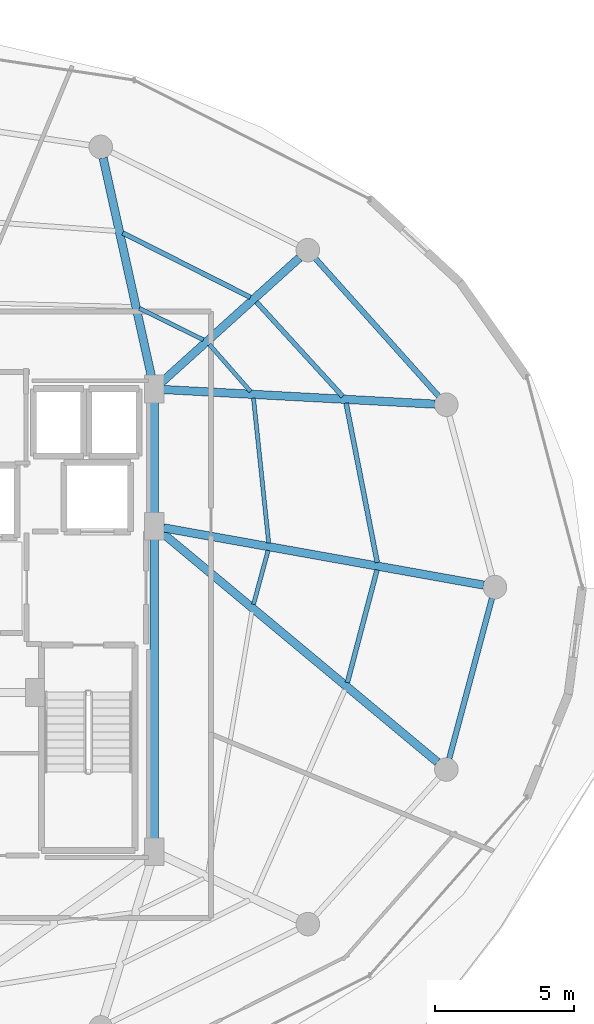
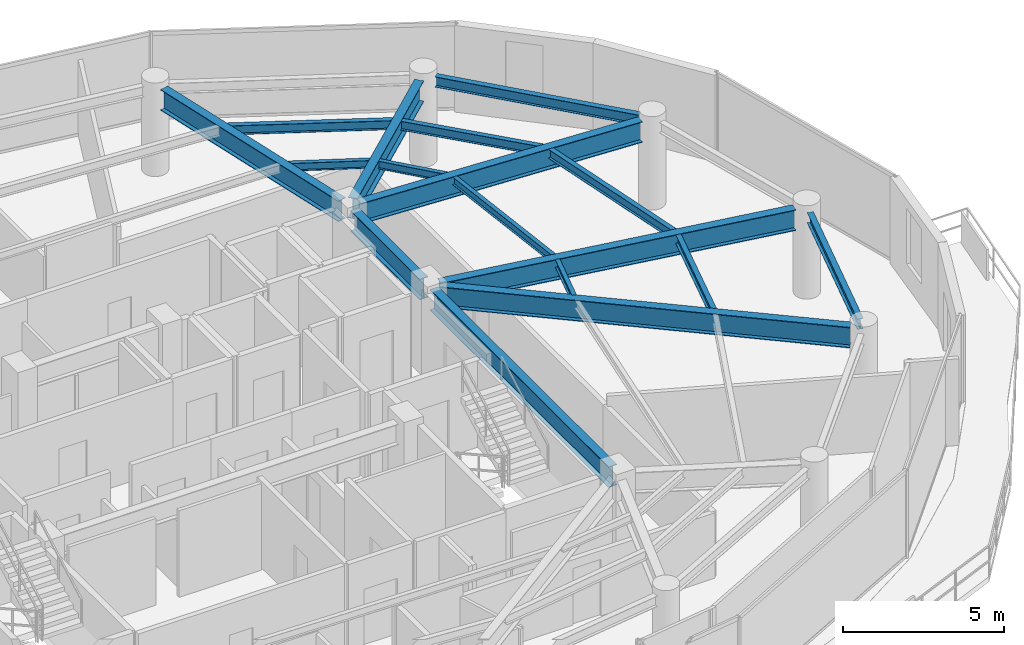
# One storey, part 14 of 30: 17 beams.
"""IFC4 building model written with IfcOpenShell, lengths in metres."""

from ifc_helpers import new_model, si_unit, direction, frame, origin, origin_2d, place, context, subcontext, project, spatial, i_section, extrude, material, material_profile, profile_set, type_object, element, save


model = new_model("IFC4")

# Units and contexts
model_context = context("Model", 3, precision=1e-05, world=origin(), true_north=direction((0.0, 1.0)))
body_context = subcontext(model_context, "Body", "Model", "MODEL_VIEW")
ifc_project = project(units=[si_unit("LENGTHUNIT", "METRE"), si_unit("AREAUNIT", "SQUARE_METRE"), si_unit("VOLUMEUNIT", "CUBIC_METRE"), si_unit("PLANEANGLEUNIT", "RADIAN"), si_unit("MASSUNIT", "GRAM", prefix="KILO")], contexts=[model_context])

# Site, building, storey
site_placement = place(None, origin())
site = spatial("IfcSite", under=ifc_project, at=site_placement, CompositionType="ELEMENT")
building_placement = place(site_placement, origin())
building = spatial("IfcBuilding", under=site, at=building_placement, Name="Vorneva Point Tower", CompositionType="ELEMENT")
storey_placement = place(building_placement, frame((0.0, 0.0, 241.35009765625)))
storey = spatial("IfcBuildingStorey", under=building, at=storey_placement, Name="L65", CompositionType="ELEMENT", Elevation=241.35009765625)

# Beams
ifc_material = material(Name="Steel S355", Category="steel")
ifc_material_profile_1 = material_profile(ifc_material, i_section(OverallWidth=0.300048828125, OverallDepth=0.7880859375, WebThickness=0.014404296875, FlangeThickness=0.02197265625, at=origin_2d()), Name="80Sh1")
ifc_profile_set_1 = profile_set([ifc_material_profile_1], Name="Steel S355")
beam_type_1 = type_object("IfcBeamType", Name="BM-GRD-80Sh1", PredefinedType="USERDEFINED", material=ifc_profile_set_1)
beam_1_placement = place(storey_placement, frame((60.6435546875, 26.07275390625, 2.89599609375), z_axis=(-0.9843788355, 0.17606336422, 0.0), x_axis=(-0.17606336422, -0.9843788355, 0.0)))
element("IfcBeam", 1, at=beam_1_placement, inside=storey, type_object=beam_type_1, Name="L65 Radial Primary Girder 01", ObjectType="GIRDER", PredefinedType="USERDEFINED", context=body_context, shape_type="SweptSolid", body=[
    extrude(i_section(OverallWidth=0.300048828125, OverallDepth=0.7880859375, WebThickness=0.014404296875, FlangeThickness=0.02197265625, at=origin_2d()), origin(), (0.0, 0.0, 1.0), 11.7421875),
])
beam_2_placement = place(storey_placement, frame((58.883056640625, 32.6044921875, 2.89599609375), z_axis=(-0.998554756376, 0.05374382308, 0.0), x_axis=(-0.05374382308, -0.998554756376, 0.0)))
element("IfcBeam", 2, at=beam_2_placement, inside=storey, type_object=beam_type_1, Name="L65 Radial Primary Girder 02", ObjectType="GIRDER", PredefinedType="USERDEFINED", context=body_context, shape_type="SweptSolid", body=[
    extrude(i_section(OverallWidth=0.300048828125, OverallDepth=0.7880859375, WebThickness=0.014404296875, FlangeThickness=0.02197265625, at=origin_2d()), origin(), (0.0, 0.0, 1.0), 9.8076171875),
])
beam_3_placement = place(storey_placement, frame((53.9921875, 37.885498046875, 2.89599609375), z_axis=(-0.7420671051, -0.670325601128, 0.0), x_axis=(0.670325601128, -0.7420671051, 0.0)))
element("IfcBeam", 3, at=beam_3_placement, inside=storey, type_object=beam_type_1, Name="L65 Radial Primary Girder 03", ObjectType="GIRDER", PredefinedType="USERDEFINED", context=body_context, shape_type="SweptSolid", body=[
    extrude(i_section(OverallWidth=0.300048828125, OverallDepth=0.7880859375, WebThickness=0.014404296875, FlangeThickness=0.02197265625, at=origin_2d()), origin(), (0.0, 0.0, 1.0), 6.724365234375),
])
beam_4_placement = place(storey_placement, frame((46.909912109375, 41.4873046875, 2.89599609375), z_axis=(0.215520742957, -0.976499262342, 0.0), x_axis=(0.976499262342, 0.215520742957, 0.0)))
element("IfcBeam", 4, at=beam_4_placement, inside=storey, type_object=beam_type_1, Name="L65 Radial Primary Girder 04", ObjectType="GIRDER", PredefinedType="USERDEFINED", context=body_context, shape_type="SweptSolid", body=[
    extrude(i_section(OverallWidth=0.300048828125, OverallDepth=0.7880859375, WebThickness=0.014404296875, FlangeThickness=0.02197265625, at=origin_2d()), origin(), (0.0, 0.0, 1.0), 8.197998046875),
])
beam_5_placement = place(storey_placement, frame((58.97802734375, 19.68212890625, 2.89599609375), z_axis=(-0.768424898021, 0.639939978515, 0.0), x_axis=(-0.639939978515, -0.768424898021, 0.0)))
element("IfcBeam", 5, at=beam_5_placement, inside=storey, type_object=beam_type_1, Name="L65 Radial Primary Girder 16", ObjectType="GIRDER", PredefinedType="USERDEFINED", context=body_context, shape_type="SweptSolid", body=[
    extrude(i_section(OverallWidth=0.300048828125, OverallDepth=0.7880859375, WebThickness=0.014404296875, FlangeThickness=0.02197265625, at=origin_2d()), origin(), (0.0, 0.0, 1.0), 12.970458984375),
])
beam_6_placement = place(storey_placement, frame((48.75, 16.77001953125, 2.89599609375), z_axis=(0.0, 1.0, 0.0), x_axis=(-1.0, 0.0, 0.0)))
element("IfcBeam", 6, at=beam_6_placement, inside=storey, type_object=beam_type_1, Name="L65 Core Tie Girder CT3", ObjectType="GIRDER", PredefinedType="USERDEFINED", context=body_context, shape_type="SweptSolid", body=[
    extrude(i_section(OverallWidth=0.300048828125, OverallDepth=0.7880859375, WebThickness=0.014404296875, FlangeThickness=0.02197265625, at=origin_2d()), origin(), (0.0, 0.0, 1.0), 11.10986328125),
])
beam_7_placement = place(storey_placement, frame((48.75, 28.52001953125, 2.89599609375), z_axis=(0.0, 1.0, 0.0), x_axis=(-1.0, 0.0, 0.0)))
element("IfcBeam", 7, at=beam_7_placement, inside=storey, type_object=beam_type_1, Name="L65 Core Tie Girder CT4", ObjectType="GIRDER", PredefinedType="USERDEFINED", context=body_context, shape_type="SweptSolid", body=[
    extrude(i_section(OverallWidth=0.300048828125, OverallDepth=0.7880859375, WebThickness=0.014404296875, FlangeThickness=0.02197265625, at=origin_2d()), origin(), (0.0, 0.0, 1.0), 4.31005859375),
])
ifc_material_profile_2 = material_profile(ifc_material, i_section(OverallWidth=0.14892578125, OverallDepth=0.298095703125, WebThickness=0.005615234375, FlangeThickness=0.008056640625, at=origin_2d()), Name="30B1")
ifc_profile_set_2 = profile_set([ifc_material_profile_2], Name="Steel S355")
beam_type_2 = type_object("IfcBeamType", Name="BM-JST-30B1", PredefinedType="JOIST", material=ifc_profile_set_2)
beam_8_placement = place(storey_placement, frame((52.884765625, 27.59521484375, 3.140869140625), z_axis=(-0.104508201647, 0.994524024742, 0.0), x_axis=(-0.994524024742, -0.104508201647, 0.0)))
element("IfcBeam", 8, at=beam_8_placement, inside=storey, type_object=beam_type_2, Name="L65 Secondary Floor Beam 2.01", PredefinedType="JOIST", context=body_context, shape_type="SweptSolid", body=[
    extrude(i_section(OverallWidth=0.14892578125, OverallDepth=0.298095703125, WebThickness=0.005615234375, FlangeThickness=0.008056640625, at=origin_2d()), origin(), (0.0, 0.0, 1.0), 5.25390625),
])
beam_9_placement = place(storey_placement, frame((52.23046875, 33.0615234375, 3.140869140625), z_axis=(-0.659207612715, 0.75196098525, 0.0), x_axis=(-0.75196098525, -0.659207612715, 0.0)))
element("IfcBeam", 9, at=beam_9_placement, inside=storey, type_object=beam_type_2, Name="L65 Secondary Floor Beam 2.02", PredefinedType="JOIST", context=body_context, shape_type="SweptSolid", body=[
    extrude(i_section(OverallWidth=0.14892578125, OverallDepth=0.298095703125, WebThickness=0.005615234375, FlangeThickness=0.008056640625, at=origin_2d()), origin(), (0.0, 0.0, 1.0), 2.260986328125),
])
beam_10_placement = place(storey_placement, frame((50.525146484375, 34.92626953125, 3.140869140625), z_axis=(-0.897106439702, 0.441814481254, 0.0), x_axis=(-0.441814481254, -0.897106439702, 0.0)))
element("IfcBeam", 10, at=beam_10_placement, inside=storey, type_object=beam_type_2, Name="L65 Secondary Floor Beam 2.03", PredefinedType="JOIST", context=body_context, shape_type="SweptSolid", body=[
    extrude(i_section(OverallWidth=0.14892578125, OverallDepth=0.298095703125, WebThickness=0.005615234375, FlangeThickness=0.008056640625, at=origin_2d()), origin(), (0.0, 0.0, 1.0), 2.572265625),
])
beam_11_placement = place(storey_placement, frame((52.336181640625, 25.37646484375, 3.140869140625), z_axis=(0.26104917741, 0.96532550312, 0.0), x_axis=(-0.96532550312, 0.26104917741, 0.0)))
element("IfcBeam", 11, at=beam_11_placement, inside=storey, type_object=beam_type_2, Name="L65 Secondary Floor Beam 2.16", PredefinedType="JOIST", context=body_context, shape_type="SweptSolid", body=[
    extrude(i_section(OverallWidth=0.14892578125, OverallDepth=0.298095703125, WebThickness=0.005615234375, FlangeThickness=0.008056640625, at=origin_2d()), origin(), (0.0, 0.0, 1.0), 2.018310546875),
])
ifc_material_profile_3 = material_profile(ifc_material, i_section(OverallWidth=0.174072265625, OverallDepth=0.345947265625, WebThickness=0.006103515625, FlangeThickness=0.009033203125, at=origin_2d()), Name="35B1")
ifc_profile_set_3 = profile_set([ifc_material_profile_3], Name="Steel S355")
beam_type_3 = type_object("IfcBeamType", Name="BM-SEC-35B1", PredefinedType="BEAM", material=ifc_profile_set_3)
beam_12_placement = place(storey_placement, frame((56.802490234375, 26.890380859375, 3.116943359375), z_axis=(-0.191925271484, 0.981409542528, 0.0), x_axis=(-0.981409542528, -0.191925271484, 0.0)))
element("IfcBeam", 12, at=beam_12_placement, inside=storey, type_object=beam_type_3, Name="L65 Secondary Floor Beam 1.01", PredefinedType="BEAM", context=body_context, shape_type="SweptSolid", body=[
    extrude(i_section(OverallWidth=0.174072265625, OverallDepth=0.345947265625, WebThickness=0.006103515625, FlangeThickness=0.009033203125, at=origin_2d()), origin(), (0.0, 0.0, 1.0), 5.861572265625),
])
beam_13_placement = place(storey_placement, frame((55.55810546875, 32.88037109375, 3.116943359375), z_axis=(-0.674370728017, 0.738392931436, 0.0), x_axis=(-0.738392931436, -0.674370728017, 0.0)))
element("IfcBeam", 13, at=beam_13_placement, inside=storey, type_object=beam_type_3, Name="L65 Secondary Floor Beam 1.02", PredefinedType="BEAM", context=body_context, shape_type="SweptSolid", body=[
    extrude(i_section(OverallWidth=0.174072265625, OverallDepth=0.345947265625, WebThickness=0.006103515625, FlangeThickness=0.009033203125, at=origin_2d()), origin(), (0.0, 0.0, 1.0), 4.625732421875),
])
beam_14_placement = place(storey_placement, frame((52.222412109375, 36.460205078125, 3.116943359375), z_axis=(-0.892860048752, 0.450334246246, 0.0), x_axis=(-0.450334246246, -0.892860048752, 0.0)))
element("IfcBeam", 14, at=beam_14_placement, inside=storey, type_object=beam_type_3, Name="L65 Secondary Floor Beam 1.03", PredefinedType="BEAM", context=body_context, shape_type="SweptSolid", body=[
    extrude(i_section(OverallWidth=0.174072265625, OverallDepth=0.345947265625, WebThickness=0.006103515625, FlangeThickness=0.009033203125, at=origin_2d()), origin(), (0.0, 0.0, 1.0), 5.158935546875),
])
beam_15_placement = place(storey_placement, frame((55.72412109375, 22.5546875, 3.116943359375), z_axis=(0.254401852256, 0.967098597646, 0.0), x_axis=(-0.967098597646, 0.254401852256, 0.0)))
element("IfcBeam", 15, at=beam_15_placement, inside=storey, type_object=beam_type_3, Name="L65 Secondary Floor Beam 1.16", PredefinedType="BEAM", context=body_context, shape_type="SweptSolid", body=[
    extrude(i_section(OverallWidth=0.174072265625, OverallDepth=0.345947265625, WebThickness=0.006103515625, FlangeThickness=0.009033203125, at=origin_2d()), origin(), (0.0, 0.0, 1.0), 4.205322265625),
])
ifc_material_profile_4 = material_profile(ifc_material, i_section(OverallWidth=0.198974609375, OverallDepth=0.39599609375, WebThickness=0.007080078125, FlangeThickness=0.010986328125, at=origin_2d()), Name="40B1")
ifc_profile_set_4 = profile_set([ifc_material_profile_4], Name="Steel S355")
beam_type_4 = type_object("IfcBeamType", Name="BM-SPN-40B1", PredefinedType="SPANDREL", material=ifc_profile_set_4)
beam_16_placement = place(storey_placement, frame((59.02197265625, 32.8876953125, 3.091796875), z_axis=(-0.667108282638, 0.744960763554, 0.0), x_axis=(-0.744960763554, -0.667108282638, 0.0)))
element("IfcBeam", 16, at=beam_16_placement, inside=storey, type_object=beam_type_4, Name="L65 Perimeter Spandrel Ring Beam 02", PredefinedType="SPANDREL", context=body_context, shape_type="SweptSolid", body=[
    extrude(i_section(OverallWidth=0.198974609375, OverallDepth=0.39599609375, WebThickness=0.007080078125, FlangeThickness=0.010986328125, at=origin_2d()), origin(), (0.0, 0.0, 1.0), 6.670166015625),
])
beam_17_placement = place(storey_placement, frame((59.40087890625, 19.81396484375, 3.091796875), z_axis=(0.257586570866, 0.966255224312, 0.0), x_axis=(-0.966255224312, 0.257586570866, 0.0)))
element("IfcBeam", 17, at=beam_17_placement, inside=storey, type_object=beam_type_4, Name="L65 Perimeter Spandrel Ring Beam 16", PredefinedType="SPANDREL", context=body_context, shape_type="SweptSolid", body=[
    extrude(i_section(OverallWidth=0.198974609375, OverallDepth=0.39599609375, WebThickness=0.007080078125, FlangeThickness=0.010986328125, at=origin_2d()), origin(), (0.0, 0.0, 1.0), 5.991943359375),
])

save(model, "model.ifc")
